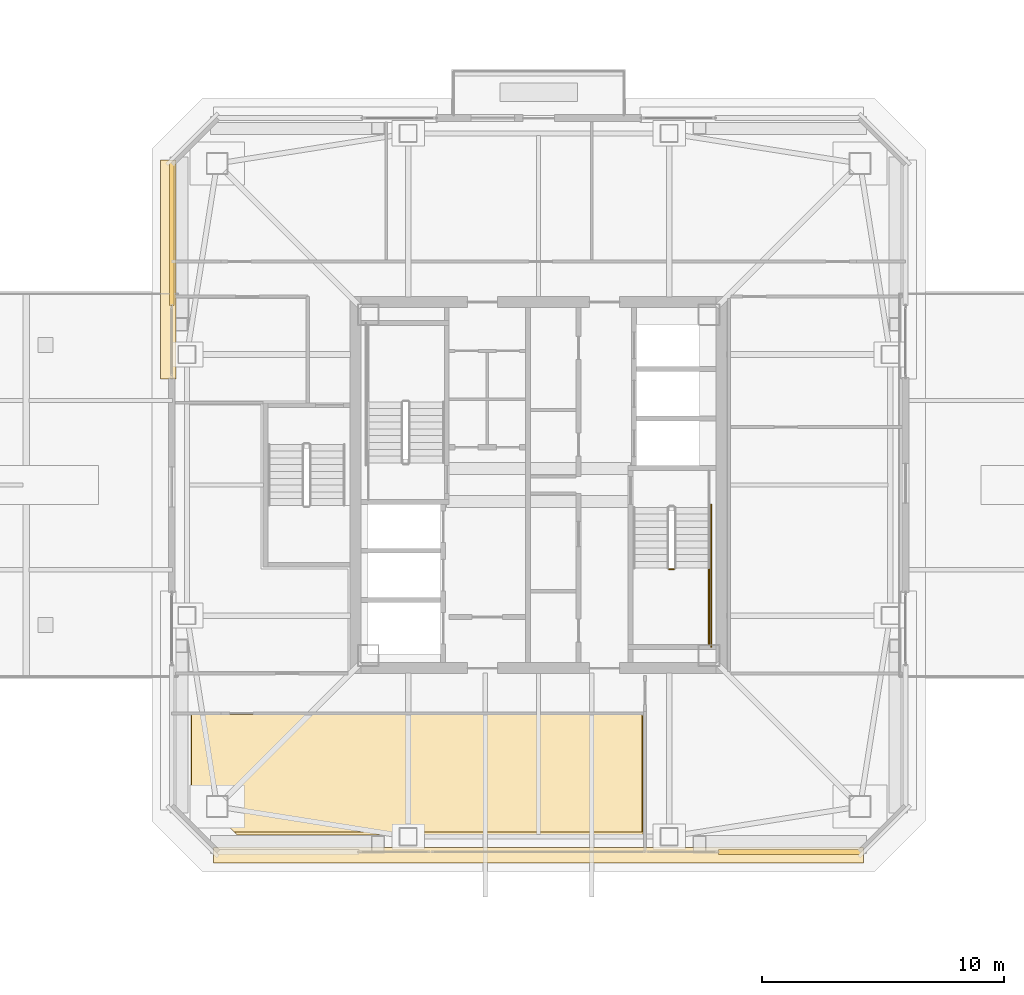
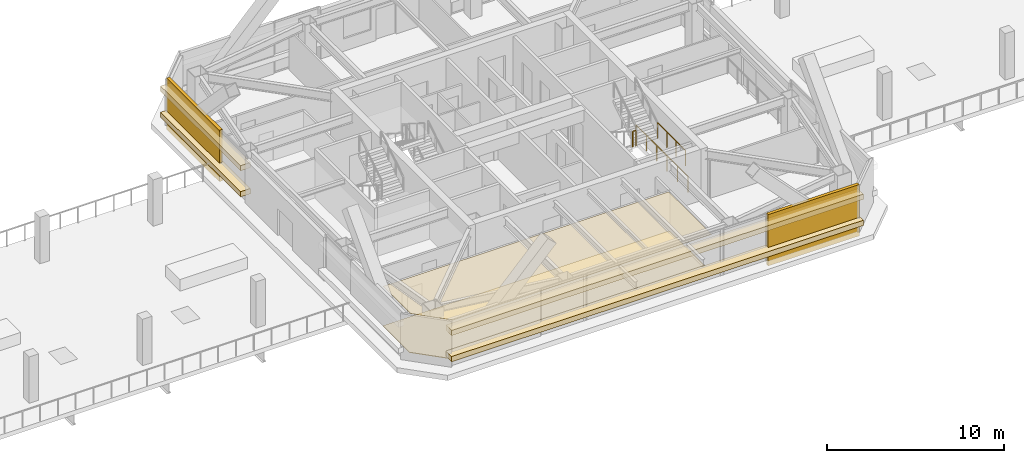
# One storey, part 33 of 37: 8 coverings, 3 railings.
"""IFC4 building model written with IfcOpenShell, lengths in metres."""

from ifc_helpers import new_model, si_unit, direction, frame, origin, origin_2d, place, context, subcontext, project, spatial, polyline, rectangle, outline, extrude, material, layer, layer_set, type_object, element, save


model = new_model("IFC4")

# Units and contexts
model_context = context("Model", 3, precision=1e-05, world=origin(), true_north=direction((0.0, 1.0)))
body_context = subcontext(model_context, "Body", "Model", "MODEL_VIEW")
ifc_project = project(units=[si_unit("LENGTHUNIT", "METRE"), si_unit("AREAUNIT", "SQUARE_METRE"), si_unit("VOLUMEUNIT", "CUBIC_METRE"), si_unit("PLANEANGLEUNIT", "RADIAN"), si_unit("MASSUNIT", "GRAM", prefix="KILO")], contexts=[model_context])

# Site, building, storey
site_placement = place(None, origin())
site = spatial("IfcSite", under=ifc_project, at=site_placement, CompositionType="ELEMENT")
building_placement = place(site_placement, origin())
building = spatial("IfcBuilding", under=site, at=building_placement, Name="Tashvorn Skyway Center", CompositionType="ELEMENT")
storey_placement = place(building_placement, frame((0.0, 0.0, 263.39990234375)))
storey = spatial("IfcBuildingStorey", under=building, at=storey_placement, Name="L71", CompositionType="ELEMENT", Elevation=263.39990234375)

# Coverings
ifc_material_1 = material(Name="Precast concrete C40/50", Category="concrete")
ifc_layer_1 = layer(ifc_material_1, 0.199951171875)
ifc_layer_set_1 = layer_set([ifc_layer_1], Name="Precast concrete C40/50")
covering_type_1 = type_object("IfcCoveringType", Name="COV-BRACE-CLAD", PredefinedType="CLADDING", material=ifc_layer_set_1)
covering_1_placement = place(storey_placement, frame((52.40673828125, 16.820068359375, 0.0), z_axis=(0.0, 0.0, 1.0), x_axis=(-1.0, 0.0, 0.0)))
element("IfcCovering", 1, at=covering_1_placement, inside=storey, type_object=covering_type_1, Name="Tower 1 L71 South Unitised Curtain Wall Mega-Brace Cladding Band 1", PredefinedType="CLADDING", context=body_context, shape_type="SweptSolid", body=[
    extrude(rectangle(XDim=5.94677734375, YDim=0.199951171875, at=origin_2d()), origin(), (0.0, 0.0, 1.0), 3.550048828125),
])
covering_2_placement = place(storey_placement, frame((26.820068359375, 42.4033203125, 0.0), z_axis=(0.0, 0.0, 1.0), x_axis=(0.0, 1.0, 0.0)))
element("IfcCovering", 2, at=covering_2_placement, inside=storey, type_object=covering_type_1, Name="Tower 1 L71 West Curtain Wall R Mega-Brace Cladding Band 1", PredefinedType="CLADDING", context=body_context, shape_type="SweptSolid", body=[
    extrude(rectangle(XDim=5.953369140625, YDim=0.199951171875, at=origin_2d()), origin(), (0.0, 0.0, 1.0), 3.550048828125),
])
ifc_material_2 = material(Name="Mineral-fibre acoustic ceiling tile on suspended grid")
ifc_layer_2 = layer(ifc_material_2, 0.02001953125)
ifc_layer_set_2 = layer_set([ifc_layer_2], Name="Mineral-fibre acoustic ceiling tile on suspended grid")
covering_type_2 = type_object("IfcCoveringType", Name="COV-CEIL-20", PredefinedType="CEILING", material=ifc_layer_set_2)
covering_3_placement = place(storey_placement, frame((0.0, 0.0, 2.703125)))
element("IfcCovering", 3, at=covering_3_placement, inside=storey, type_object=covering_type_2, Name="Tower 1 L71 Executive Study Lounge Acoustic Ceiling", PredefinedType="CEILING", context=body_context, shape_type="SweptSolid", body=[
    extrude(outline(polyline([(27.64990234375, 22.510009765625), (46.280029296875, 22.510009765625), (46.280029296875, 17.64990234375), (29.409912109375, 17.64990234375), (27.64990234375, 19.409912109375), (27.64990234375, 22.510009765625)])), origin(), (0.0, 0.0, 1.0), 0.02001953125),
])
ifc_material_3 = material(Name="Polished Mojave desert-aggregate terrazzo and cover plate")
ifc_layer_3 = layer(ifc_material_3, 0.0400390625)
ifc_layer_set_3 = layer_set([ifc_layer_3], Name="Polished Mojave desert-aggregate terrazzo and cover plate")
covering_type_3 = type_object("IfcCoveringType", Name="COV-FLR-40", PredefinedType="FLOORING", material=ifc_layer_set_3)
covering_4_placement = place(storey_placement, origin())
element("IfcCovering", 4, at=covering_4_placement, inside=storey, type_object=covering_type_3, Name="Tower 1 L71 Executive Study Lounge Finish Flooring", PredefinedType="FLOORING", context=body_context, shape_type="SweptSolid", body=[
    extrude(outline(polyline([(29.530029296875, 17.530029296875), (27.610107421875, 19.449951171875), (27.610107421875, 22.469970703125), (46.320068359375, 22.469970703125), (46.320068359375, 17.530029296875), (29.530029296875, 17.530029296875)])), origin(), (0.0, 0.0, 1.0), 0.0400390625),
])
ifc_material_4 = material(Name="Perforated ceramic-coated bronze aluminium solar screen", Category="aluminium")
ifc_layer_4 = layer(ifc_material_4, 0.85009765625)
ifc_layer_set_4 = layer_set([ifc_layer_4], Name="Perforated ceramic-coated bronze aluminium solar screen")
covering_type_4 = type_object("IfcCoveringType", Name="COV-SOLAR-BAND", PredefinedType="CLADDING", material=ifc_layer_set_4)
for number, where, z_axis, x_axis, name in (
    (5, (42.0, 16.679931640625, 0.919921875), (0.0, 0.0, 1.0), (-1.0, 0.0, 0.0), "L71 Perforated Ceramic-Metal Solar Screen Louvre Band South 1"),
    (6, (42.0, 16.679931640625, 2.72021484375), (0.0, 0.0, 1.0), (-1.0, 0.0, 0.0), "L71 Perforated Ceramic-Metal Solar Screen Louvre Band South 2"),
):
    element("IfcCovering", number, at=place(storey_placement, frame(where, z_axis=z_axis, x_axis=x_axis)), inside=storey, type_object=covering_type_4, Name=name, PredefinedType="CLADDING", context=body_context, shape_type="SweptSolid", body=[
        extrude(rectangle(XDim=26.8798828125, YDim=0.639892578125, at=origin_2d()), origin(), (0.0, 0.0, 1.0), 0.360107421875),
    ])
for number, where, z_axis, x_axis, name in (
    (7, (26.679931640625, 40.9150390625, 0.919921875), (0.0, 0.0, 1.0), (0.0, 1.0, 0.0), "L71 Perforated Ceramic-Metal Solar Screen Louvre Band West 1"),
    (8, (26.679931640625, 40.9150390625, 2.72021484375), (0.0, 0.0, 1.0), (0.0, 1.0, 0.0), "L71 Perforated Ceramic-Metal Solar Screen Louvre Band West 2"),
):
    element("IfcCovering", number, at=place(storey_placement, frame(where, z_axis=z_axis, x_axis=x_axis)), inside=storey, type_object=covering_type_4, Name=name, PredefinedType="CLADDING", context=body_context, shape_type="SweptSolid", body=[
        extrude(rectangle(XDim=9.050048828125, YDim=0.639892578125, at=origin_2d()), origin(), (0.0, 0.0, 1.0), 0.360107421875),
    ])

# Railings
ifc_material_5 = material(Name="Painted galvanized steel S355", Category="steel")
railing_type = type_object("IfcRailingType", Name="RAIL-STGUARD-1100", PredefinedType="GUARDRAIL", material=ifc_material_5)
railing_1_placement = place(storey_placement, frame((47.39990234375, 28.510009765625, 1.775146484375)))
element("IfcRailing", 9, at=railing_1_placement, inside=storey, type_object=railing_type, Name="L71 ST-T1-2 stair guard 2", PredefinedType="GUARDRAIL", context=body_context, shape_type="SweptSolid", body=[
    extrude(rectangle(XDim=0.048095703125, YDim=0.048095703125, at=origin_2d()), frame((0.0, 0.0, 1.076171875), z_axis=(1.0, 0.0, 0.0), x_axis=(0.0, 1.0, 0.0)), (0.0, 0.0, 1.0), 0.2001953125),
    extrude(rectangle(XDim=0.0419921875, YDim=0.0419921875, at=origin_2d()), origin(), (0.0, 0.0, 1.0), 1.052001953125),
    extrude(rectangle(XDim=0.0419921875, YDim=0.0419921875, at=origin_2d()), frame((0.2001953125, 0.0, 0.0)), (0.0, 0.0, 1.0), 1.052001953125),
])
railing_2_placement = place(storey_placement, frame((49.050048828125, 28.56005859375, 1.775146484375)))
element("IfcRailing", 10, at=railing_2_placement, inside=storey, type_object=railing_type, Name="L71 ST-T1-2 stair guard 3", PredefinedType="GUARDRAIL", context=body_context, shape_type="SweptSolid", body=[
    extrude(rectangle(XDim=0.048095703125, YDim=0.048095703125, at=origin_2d()), frame((0.0, 0.0, 1.076171875), z_axis=(0.0, -1.0, 0.0), x_axis=(1.0, 0.0, 0.0)), (0.0, 0.0, 1.0), 3.16015625),
    extrude(rectangle(XDim=0.0419921875, YDim=0.0419921875, at=origin_2d()), origin(), (0.0, 0.0, 1.0), 1.052001953125),
    extrude(rectangle(XDim=0.0419921875, YDim=0.0419921875, at=origin_2d()), frame((0.0, -1.053466796875, 0.0)), (0.0, 0.0, 1.0), 1.052001953125),
    extrude(rectangle(XDim=0.0419921875, YDim=0.0419921875, at=origin_2d()), frame((0.0, -2.106689453125, 0.0)), (0.0, 0.0, 1.0), 1.052001953125),
    extrude(rectangle(XDim=0.0419921875, YDim=0.0419921875, at=origin_2d()), frame((0.0, -3.16015625, 0.0)), (0.0, 0.0, 1.0), 1.052001953125),
])
railing_3_placement = place(storey_placement, frame((49.14990234375, 31.179931640625, 0.0)))
element("IfcRailing", 11, at=railing_3_placement, inside=storey, type_object=railing_type, Name="L71 ST-T1-2 stair guard 7", PredefinedType="GUARDRAIL", context=body_context, shape_type="SweptSolid", body=[
    extrude(rectangle(XDim=0.048095703125, YDim=0.048095703125, at=origin_2d()), frame((0.0, 0.0, 1.076171875), z_axis=(0.0, -1.0, 0.0), x_axis=(1.0, 0.0, 0.0)), (0.0, 0.0, 1.0), 5.8798828125),
    extrude(rectangle(XDim=0.0419921875, YDim=0.0419921875, at=origin_2d()), origin(), (0.0, 0.0, 1.0), 1.052001953125),
    extrude(rectangle(XDim=0.0419921875, YDim=0.0419921875, at=origin_2d()), frame((0.0, -1.176025390625, 0.0)), (0.0, 0.0, 1.0), 1.052001953125),
    extrude(rectangle(XDim=0.0419921875, YDim=0.0419921875, at=origin_2d()), frame((0.0, -2.35205078125, 0.0)), (0.0, 0.0, 1.0), 1.052001953125),
    extrude(rectangle(XDim=0.0419921875, YDim=0.0419921875, at=origin_2d()), frame((0.0, -3.52783203125, 0.0)), (0.0, 0.0, 1.0), 1.052001953125),
    extrude(rectangle(XDim=0.0419921875, YDim=0.0419921875, at=origin_2d()), frame((0.0, -4.703857421875, 0.0)), (0.0, 0.0, 1.0), 1.052001953125),
    extrude(rectangle(XDim=0.0419921875, YDim=0.0419921875, at=origin_2d()), frame((0.0, -5.8798828125, 0.0)), (0.0, 0.0, 1.0), 1.052001953125),
])

save(model, "model.ifc")
